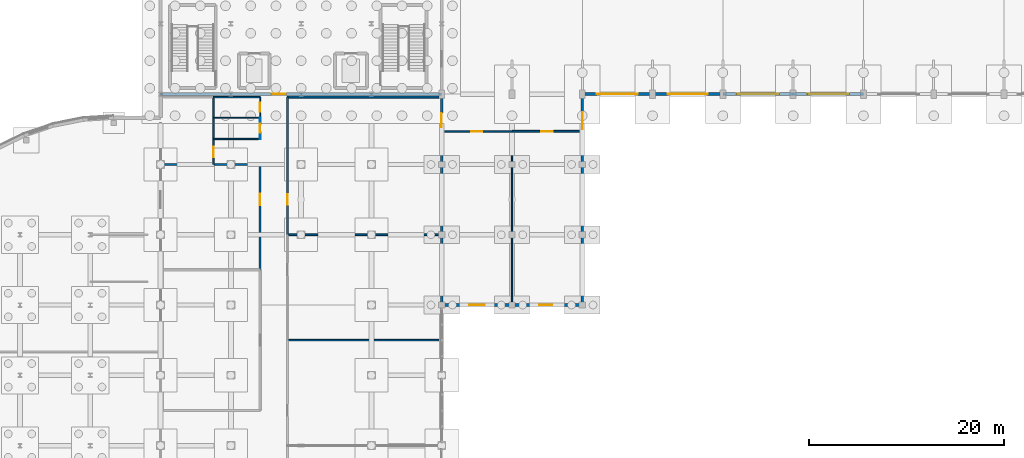
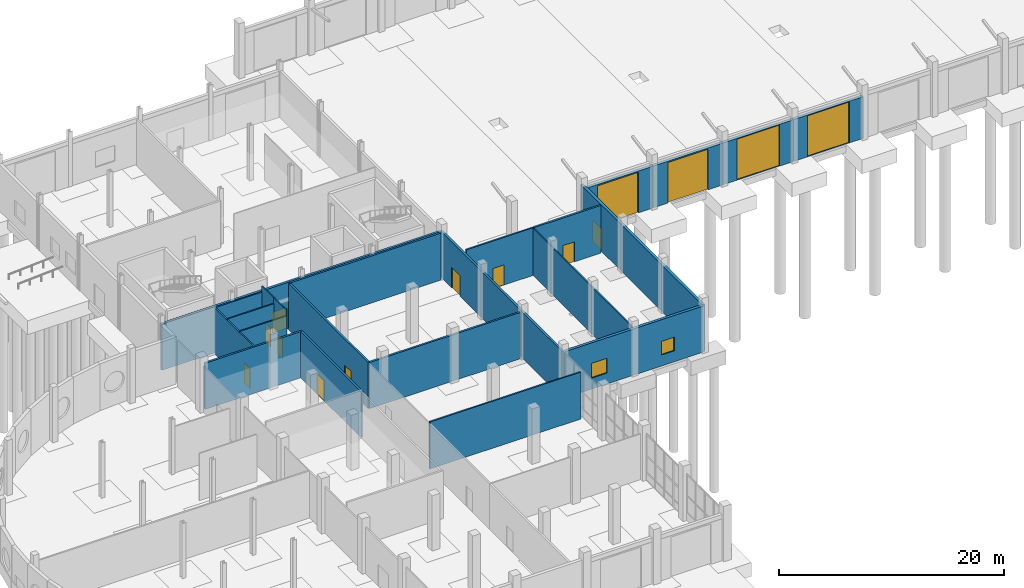
# One storey, part 31 of 45: 23 walls, 14 doors, 2 windows, 16 openings.
"""IFC4 building model written with IfcOpenShell, lengths in metres."""

import ifcopenshell
import ifcopenshell.guid

model = None  # the IFC model being written
_history = None  # IfcOwnerHistory: only IFC2X3 demands one
_inside = {}  # id of a spatial element -> (the spatial element, [elements in it])
_under = {}  # id of a project, library or spatial element -> (it, [spatial elements below it])
_declared = {}  # id of a project -> (the project, [libraries it declares])
_typed = {}  # id of a type object -> (the type object, [elements of that type])
_made_of = {}  # id of a material, layer set ... -> (it, [elements and type objects made of it])


def new_model(schema):
    """Start an empty IFC model of exactly this schema.

    Asked for "IFC4X3", IfcOpenShell would pick the latest addendum, in which some entities
    have other attributes; the version numbers below select the first issue.
    IFC2X3 requires an IfcOwnerHistory on every rooted entity: one is made here for all.
    """
    global model, _history
    if schema == "IFC4X3":
        model = ifcopenshell.file(schema_version=(4, 3, 0, 0))
    else:
        model = ifcopenshell.file(schema=schema)
    _inside.clear()
    _under.clear()
    _declared.clear()
    _typed.clear()
    _made_of.clear()
    _history = None
    if model.schema == "IFC2X3":
        org = make("IfcOrganization", Name="unknown")
        user = make(
            "IfcPersonAndOrganization",
            ThePerson=make("IfcPerson", FamilyName="unknown"),
            TheOrganization=org,
        )
        app = make(
            "IfcApplication",
            ApplicationDeveloper=org,
            Version="unknown",
            ApplicationFullName="unknown",
            ApplicationIdentifier="unknown",
        )
        _history = make(
            "IfcOwnerHistory",
            OwningUser=user,
            OwningApplication=app,
            ChangeAction="ADDED",
            CreationDate=0,
        )
    return model


def make(cls, **values):
    """One entity of the class cls with the attributes given. An attribute that is None is left unset."""
    return model.create_entity(
        cls, **{name: value for name, value in values.items() if value is not None}
    )


def rooted(cls, **values):
    """An entity with a GlobalId (a new one), such as an element, a storey or a relation."""
    return make(cls, GlobalId=ifcopenshell.guid.new(), OwnerHistory=_history, **values)


def si_unit(unit_type, name, prefix=None):
    """IfcSIUnit, for example si_unit("LENGTHUNIT", "METRE", prefix="MILLI")."""
    return make("IfcSIUnit", UnitType=unit_type, Prefix=prefix, Name=name)


def assignment(units):
    """IfcUnitAssignment: the units of a project."""
    return None if units is None else make("IfcUnitAssignment", Units=units)


def point(xyz):
    """IfcCartesianPoint."""
    return None if xyz is None else make("IfcCartesianPoint", Coordinates=xyz)


def direction(xyz):
    """IfcDirection."""
    return None if xyz is None else make("IfcDirection", DirectionRatios=xyz)


def frame(location, z_axis=None, x_axis=None):
    """IfcAxis2Placement3D, a coordinate frame: its origin and axes. An axis left out is left unset."""
    return make(
        "IfcAxis2Placement3D",
        Location=point(location),
        Axis=direction(z_axis),
        RefDirection=direction(x_axis),
    )


def frame_2d(location, x_axis=None):
    """IfcAxis2Placement2D, a coordinate frame in the plane: its origin and x axis."""
    return make(
        "IfcAxis2Placement2D", Location=point(location), RefDirection=direction(x_axis)
    )


def origin():
    """The frame at (0, 0, 0) with its axes left unset."""
    return frame((0.0, 0.0, 0.0))


def place(relative_to, where):
    """IfcLocalPlacement: puts the frame where relative to a parent placement (None: the world)."""
    return make(
        "IfcLocalPlacement", PlacementRelTo=relative_to, RelativePlacement=where
    )


def context(
    kind, dimensions, precision=None, world=None, true_north=None, identifier=None
):
    """IfcGeometricRepresentationContext, for example the 3D "Model" context."""
    return make(
        "IfcGeometricRepresentationContext",
        ContextIdentifier=identifier,
        ContextType=kind,
        CoordinateSpaceDimension=dimensions,
        Precision=precision,
        WorldCoordinateSystem=world,
        TrueNorth=true_north,
    )


def subcontext(parent, identifier, kind, view, scale=None):
    """IfcGeometricRepresentationSubContext, for example "Body" below "Model"."""
    return make(
        "IfcGeometricRepresentationSubContext",
        ContextIdentifier=identifier,
        ContextType=kind,
        ParentContext=parent,
        TargetScale=scale,
        TargetView=view,
    )


def project(units=None, contexts=None):
    """IfcProject with its units and contexts."""
    return rooted(
        "IfcProject",
        Name="project",
        RepresentationContexts=contexts,
        UnitsInContext=assignment(units),
    )


def spatial(cls, under=None, at=None, **own):
    """A site, building, storey or space (cls), placed at a placement, below another one or the project."""
    s = rooted(cls, ObjectPlacement=at, **own)
    if under is not None:
        _under.setdefault(under.id(), (under, []))[1].append(s)
    return s


def profile(cls, at=None, kind="AREA", **sizes):
    """A parametric profile (cls). Its sizes go by their IFC names, for example OverallWidth=200.0."""
    return make(cls, ProfileType=kind, Position=at, **sizes)


def rectangle(**sizes):
    """IfcRectangleProfileDef."""
    return profile("IfcRectangleProfileDef", **sizes)


def extrude(swept, where, along, depth):
    """IfcExtrudedAreaSolid: the profile swept, set in the frame where, extruded along a direction by depth."""
    return make(
        "IfcExtrudedAreaSolid",
        SweptArea=swept,
        Position=where,
        ExtrudedDirection=direction(along),
        Depth=depth,
    )


def shape(context_of_items, identifier, shape_type, items):
    """IfcShapeRepresentation: the items that make up one representation, for example the "Body"."""
    return make(
        "IfcShapeRepresentation",
        ContextOfItems=context_of_items,
        RepresentationIdentifier=identifier,
        RepresentationType=shape_type,
        Items=items,
    )


def material(Name=None, Category=None):
    """IfcMaterial."""
    return make("IfcMaterial", Name=Name, Category=Category)


def layer(
    of_material, thickness, ventilated=None, Name=None, Category=None, Priority=None
):
    """IfcMaterialLayer: one layer of a wall or slab, of a material (None: an air gap)."""
    return make(
        "IfcMaterialLayer",
        Material=of_material,
        LayerThickness=thickness,
        IsVentilated=ventilated,
        Name=Name,
        Category=Category,
        Priority=Priority,
    )


def layer_set(layers, Name=None):
    """IfcMaterialLayerSet."""
    return make("IfcMaterialLayerSet", MaterialLayers=layers, LayerSetName=Name)


def made_of(thing, what):
    """Note that an element or type object is made of a material, layer set ...; save() writes the relation."""
    if what is not None:
        _made_of.setdefault(what.id(), (what, []))[1].append(thing)
    return thing


def type_object(cls, material=None, **own):
    """A type object (cls), such as IfcWallType, which elements share."""
    return made_of(rooted(cls, **own), material)


def element(
    cls,
    number,
    at=None,
    inside=None,
    cuts=None,
    type_object=None,
    material=None,
    context=None,
    identifier="Body",
    shape_type=None,
    held_by="IfcProductDefinitionShape",
    body=None,
    shapes=None,
    **own,
):
    """One element of the class cls, such as IfcWall. Its Tag is "e" and its number.

    at: its placement. inside: the storey or other place that contains it. cuts: it is an
    opening in that element (IfcRelVoidsElement). A single representation is given by context,
    identifier, shape_type and body (its items); several are given by shapes. held_by: the class
    of the entity that holds the representations. save() writes the other relations.
    """
    e = rooted(cls, Tag="e%d" % number, ObjectPlacement=at, **own)
    if body is not None:
        shapes = [shape(context, identifier, shape_type, body)]
    if shapes is not None:
        e.Representation = make(held_by, Representations=shapes)
    if inside is not None:
        _inside.setdefault(inside.id(), (inside, []))[1].append(e)
    if cuts is not None:
        rooted(
            "IfcRelVoidsElement", RelatingBuildingElement=cuts, RelatedOpeningElement=e
        )
    if type_object is not None:
        _typed.setdefault(type_object.id(), (type_object, []))[1].append(e)
    return made_of(e, material)


def fill(opening, filler):
    """IfcRelFillsElement: the door or window that sits in an opening."""
    return rooted(
        "IfcRelFillsElement",
        RelatingOpeningElement=opening,
        RelatedBuildingElement=filler,
    )


def aggregate(whole, parts):
    """IfcRelAggregates: a whole, such as a stair, and the parts it consists of."""
    return rooted("IfcRelAggregates", RelatingObject=whole, RelatedObjects=parts)


def save(model, path):
    """Write the relations noted so far, then the file.

    IfcRelAggregates (storeys below a building ...), IfcRelContainedInSpatialStructure (elements
    in a storey), IfcRelDefinesByType, IfcRelAssociatesMaterial and IfcRelDeclares: one each for
    every whole, place, type object, material and project.
    """
    for whole, parts in _under.values():
        aggregate(whole, parts)
    for where, things in _inside.values():
        rooted(
            "IfcRelContainedInSpatialStructure",
            RelatedElements=things,
            RelatingStructure=where,
        )
    for kind, things in _typed.values():
        rooted("IfcRelDefinesByType", RelatedObjects=things, RelatingType=kind)
    for what, things in _made_of.values():
        rooted("IfcRelAssociatesMaterial", RelatedObjects=things, RelatingMaterial=what)
    for by, libraries in _declared.values():
        rooted("IfcRelDeclares", RelatingContext=by, RelatedDefinitions=libraries)
    model.write(path)


model = new_model("IFC4")

# Units and contexts
model_context = context("Model", 3, precision=1e-05, world=origin(), true_north=direction((0.0, 1.0)))
body_context = subcontext(model_context, "Body", "Model", "MODEL_VIEW")
ifc_project = project(units=[si_unit("LENGTHUNIT", "METRE"), si_unit("AREAUNIT", "SQUARE_METRE"), si_unit("VOLUMEUNIT", "CUBIC_METRE"), si_unit("PLANEANGLEUNIT", "RADIAN"), si_unit("MASSUNIT", "GRAM", prefix="KILO")], contexts=[model_context])

# Site, building, storey
site_placement = place(None, origin())
site = spatial("IfcSite", under=ifc_project, at=site_placement, CompositionType="ELEMENT")
building_placement = place(site_placement, origin())
building = spatial("IfcBuilding", under=site, at=building_placement, Name="Yarey Park Central Fire Station", CompositionType="ELEMENT")
storey_placement = place(building_placement, origin())
storey = spatial("IfcBuildingStorey", under=building, at=storey_placement, Name="L01", CompositionType="ELEMENT", Elevation=0.0)

# Wall, openings, windows
ifc_material_1 = material(Name="Concrete C35/45", Category="concrete")
ifc_layer_1 = layer(ifc_material_1, 0.280029296875)
ifc_layer_set_1 = layer_set([ifc_layer_1], Name="Concrete C35/45")
wall_type_1 = type_object("IfcWallType", Name="ENV_WALL_CMU280", PredefinedType="STANDARD", material=ifc_layer_set_1)
wall_1_placement = place(storey_placement, frame((57.60009765625, 36.0, 0.0), z_axis=(0.0, 0.0, 1.0), x_axis=(1.0, 0.0, 0.0)))
wall_1 = element("IfcWall", 1, at=wall_1_placement, inside=storey, type_object=wall_type_1, Name="EW_L01_V3_SES", PredefinedType="STANDARD", context=body_context, shape_type="SweptSolid", body=[
    extrude(rectangle(XDim=14.39990234375, YDim=0.280029296875, at=frame_2d((7.199951171875, 0.0))), origin(), (0.0, 0.0, 1.0), 5.02197265625),
])
opening_1_placement = place(wall_1_placement, frame((2.800048828125, 0.0, 1.199951171875)))
opening_1 = element("IfcOpeningElement", 2, at=opening_1_placement, cuts=wall_1, Name="Opening WN-P162", PredefinedType="OPENING", context=body_context, shape_type="SweptSolid", body=[
    extrude(rectangle(XDim=1.6201171875, YDim=1.60009765625, at=frame_2d((0.81005859375, 0.800048828125))), frame((0.0, 0.14990234375, 0.0), z_axis=(0.0, -1.0, 0.0), x_axis=(1.0, 0.0, 0.0)), (0.0, 0.0, 1.0), 0.300048828125),
])
opening_2_placement = place(wall_1_placement, frame((10.0, 0.0, 1.199951171875)))
opening_2 = element("IfcOpeningElement", 3, at=opening_2_placement, cuts=wall_1, Name="Opening WN-P132", PredefinedType="OPENING", context=body_context, shape_type="SweptSolid", body=[
    extrude(rectangle(XDim=1.320068359375, YDim=1.47998046875, at=frame_2d((0.66015625, 0.739990234375))), frame((0.0, 0.14990234375, 0.0), z_axis=(0.0, -1.0, 0.0), x_axis=(1.0, 0.0, 0.0)), (0.0, 0.0, 1.0), 0.300048828125),
])
ifc_material_2 = material(Name="Laminated Hurricane Low-E Glass", Category="glass")
window_type_1 = type_object("IfcWindowType", Name="ENV_WIN_PUNCH_132", PartitioningType="SINGLE_PANEL", PredefinedType="WINDOW", material=ifc_material_2)
window_1_placement = place(opening_2_placement, origin())
window_1 = element("IfcWindow", 4, at=window_1_placement, inside=storey, type_object=window_type_1, Name="WIN_L01_V3SES_2", OverallHeight=1.47998046875, OverallWidth=1.320068359375, PartitioningType="SINGLE_PANEL", PredefinedType="WINDOW", context=body_context, shape_type="SweptSolid", body=[
    extrude(rectangle(XDim=1.320068359375, YDim=1.47998046875, at=frame_2d((0.66015625, 0.739990234375))), frame((0.0, 0.030029296875, 0.0), z_axis=(0.0, -1.0, 0.0), x_axis=(1.0, 0.0, 0.0)), (0.0, 0.0, 1.0), 0.06005859375),
])
fill(opening_2, window_1)
window_type_2 = type_object("IfcWindowType", Name="ENV_WIN_PUNCH_162", PartitioningType="SINGLE_PANEL", PredefinedType="WINDOW", material=ifc_material_2)
window_2_placement = place(opening_1_placement, origin())
window_2 = element("IfcWindow", 5, at=window_2_placement, inside=storey, type_object=window_type_2, Name="WIN_L01_V3SES_1", OverallHeight=1.60009765625, OverallWidth=1.6201171875, PartitioningType="SINGLE_PANEL", PredefinedType="WINDOW", context=body_context, shape_type="SweptSolid", body=[
    extrude(rectangle(XDim=1.6201171875, YDim=1.60009765625, at=frame_2d((0.81005859375, 0.800048828125))), frame((0.0, 0.030029296875, 0.0), z_axis=(0.0, -1.0, 0.0), x_axis=(1.0, 0.0, 0.0)), (0.0, 0.0, 1.0), 0.06005859375),
])
fill(opening_1, window_2)

# Wall, opening, door
wall_2_placement = place(storey_placement, frame((72.0, 57.60009765625, 0.0), z_axis=(0.0, 0.0, 1.0), x_axis=(0.0, -1.0, 0.0)))
wall_2 = element("IfcWall", 6, at=wall_2_placement, inside=storey, type_object=wall_type_1, Name="EW_L01_V3_SEE", PredefinedType="STANDARD", context=body_context, shape_type="SweptSolid", body=[
    extrude(rectangle(XDim=21.60009765625, YDim=0.280029296875, at=frame_2d((10.800048828125, 0.0))), origin(), (0.0, 0.0, 1.0), 5.050048828125),
])
opening_3_placement = place(wall_2_placement, frame((1.919921875, 0.0, 0.0)))
opening_3 = element("IfcOpeningElement", 7, at=opening_3_placement, cuts=wall_2, Name="Opening ED-168", PredefinedType="OPENING", context=body_context, shape_type="SweptSolid", body=[
    extrude(rectangle(XDim=1.679931640625, YDim=2.300048828125, at=frame_2d((0.83984375, 1.14990234375))), frame((0.0, 0.14990234375, 0.0), z_axis=(0.0, -1.0, 0.0), x_axis=(1.0, 0.0, 0.0)), (0.0, 0.0, 1.0), 0.300048828125),
])
ifc_material_3 = material(Name="Anodized Aluminium Frame", Category="aluminium")
door_type_1 = type_object("IfcDoorType", Name="ENV_DOOR_EX1680", OperationType="NOTDEFINED", PredefinedType="DOOR", material=ifc_material_3)
door_1_placement = place(opening_3_placement, origin())
door_1 = element("IfcDoor", 8, at=door_1_placement, inside=storey, type_object=door_type_1, Name="DOOR_L01_EX_SE", OperationType="SINGLE_SWING_RIGHT", OverallHeight=2.300048828125, OverallWidth=1.679931640625, PredefinedType="DOOR", context=body_context, shape_type="SweptSolid", body=[
    extrude(rectangle(XDim=1.679931640625, YDim=2.300048828125, at=frame_2d((0.83984375, 1.14990234375))), frame((0.0, 0.02490234375, 0.0), z_axis=(0.0, -1.0, 0.0), x_axis=(1.0, 0.0, 0.0)), (0.0, 0.0, 1.0), 0.050048828125),
])
fill(opening_3, door_1)

ifc_layer_2 = layer(ifc_material_1, 0.304931640625)
ifc_layer_set_2 = layer_set([ifc_layer_2], Name="Concrete C35/45")
wall_type_2 = type_object("IfcWallType", Name="ENV_WALL_CMU305", PredefinedType="STANDARD", material=ifc_layer_set_2)
wall_3_placement = place(storey_placement, frame((79.199951171875, 57.60009765625, 0.0), z_axis=(0.0, 0.0, 1.0), x_axis=(-1.0, 0.0, 0.0)))
wall_3 = element("IfcWall", 9, at=wall_3_placement, inside=storey, type_object=wall_type_2, Name="EW_L01_V2_S_03", PredefinedType="STANDARD", context=body_context, shape_type="SweptSolid", body=[
    extrude(rectangle(XDim=7.199951171875, YDim=0.304931640625, at=frame_2d((3.60009765625, 0.0))), origin(), (0.0, 0.0, 1.0), 4.5400390625),
])
opening_4_placement = place(wall_3_placement, frame((1.5, 0.0, 0.0)))
opening_4 = element("IfcOpeningElement", 10, at=opening_4_placement, cuts=wall_3, Name="Opening VD-42", PredefinedType="OPENING", context=body_context, shape_type="SweptSolid", body=[
    extrude(rectangle(XDim=4.199951171875, YDim=4.39990234375, at=frame_2d((2.10009765625, 2.199951171875))), frame((0.0, 0.162353515625, 0.0), z_axis=(0.0, -1.0, 0.0), x_axis=(1.0, 0.0, 0.0)), (0.0, 0.0, 1.0), 0.324951171875),
])
door_type_2 = type_object("IfcDoorType", Name="ENV_GATE_VD4200", OperationType="NOTDEFINED", PredefinedType="GATE", material=ifc_material_3)
door_2_placement = place(opening_4_placement, origin())
door_2 = element("IfcDoor", 11, at=door_2_placement, inside=storey, type_object=door_type_2, Name="GATE_VD_09", OperationType="FOLDING_TO_LEFT", OverallHeight=4.39990234375, OverallWidth=4.199951171875, PredefinedType="GATE", context=body_context, shape_type="SweptSolid", body=[
    extrude(rectangle(XDim=4.199951171875, YDim=4.39990234375, at=frame_2d((2.10009765625, 2.199951171875))), frame((0.0, 0.02490234375, 0.0), z_axis=(0.0, -1.0, 0.0), x_axis=(1.0, 0.0, 0.0)), (0.0, 0.0, 1.0), 0.050048828125),
])
fill(opening_4, door_2)

wall_4_placement = place(storey_placement, frame((86.39990234375, 57.60009765625, 0.0), z_axis=(0.0, 0.0, 1.0), x_axis=(-1.0, 0.0, 0.0)))
wall_4 = element("IfcWall", 12, at=wall_4_placement, inside=storey, type_object=wall_type_2, Name="EW_L01_V2_S_04", PredefinedType="STANDARD", context=body_context, shape_type="SweptSolid", body=[
    extrude(rectangle(XDim=7.199951171875, YDim=0.304931640625, at=frame_2d((3.60009765625, 0.0))), origin(), (0.0, 0.0, 1.0), 4.5400390625),
])
opening_5_placement = place(wall_4_placement, frame((1.550048828125, 0.0, 0.0)))
opening_5 = element("IfcOpeningElement", 13, at=opening_5_placement, cuts=wall_4, Name="Opening VD-41", PredefinedType="OPENING", context=body_context, shape_type="SweptSolid", body=[
    extrude(rectangle(XDim=4.10009765625, YDim=4.39990234375, at=frame_2d((2.050048828125, 2.199951171875))), frame((0.0, 0.162353515625, 0.0), z_axis=(0.0, -1.0, 0.0), x_axis=(1.0, 0.0, 0.0)), (0.0, 0.0, 1.0), 0.324951171875),
])
door_type_3 = type_object("IfcDoorType", Name="ENV_GATE_VD4100", OperationType="NOTDEFINED", PredefinedType="GATE", material=ifc_material_3)
door_3_placement = place(opening_5_placement, origin())
door_3 = element("IfcDoor", 14, at=door_3_placement, inside=storey, type_object=door_type_3, Name="GATE_VD_10", OperationType="FOLDING_TO_LEFT", OverallHeight=4.39990234375, OverallWidth=4.10009765625, PredefinedType="GATE", context=body_context, shape_type="SweptSolid", body=[
    extrude(rectangle(XDim=4.10009765625, YDim=4.39990234375, at=frame_2d((2.050048828125, 2.199951171875))), frame((0.0, 0.02490234375, 0.0), z_axis=(0.0, -1.0, 0.0), x_axis=(1.0, 0.0, 0.0)), (0.0, 0.0, 1.0), 0.050048828125),
])
fill(opening_5, door_3)

wall_5_placement = place(storey_placement, frame((93.60009765625, 57.60009765625, 0.0), z_axis=(0.0, 0.0, 1.0), x_axis=(-1.0, 0.0, 0.0)))
wall_5 = element("IfcWall", 15, at=wall_5_placement, inside=storey, type_object=wall_type_2, Name="EW_L01_V2_S_05", PredefinedType="STANDARD", context=body_context, shape_type="SweptSolid", body=[
    extrude(rectangle(XDim=7.2001953125, YDim=0.304931640625, at=frame_2d((3.60009765625, 0.0))), origin(), (0.0, 0.0, 1.0), 4.5400390625),
])
opening_6_placement = place(wall_5_placement, frame((1.39990234375, 0.0, 0.0)))
opening_6 = element("IfcOpeningElement", 16, at=opening_6_placement, cuts=wall_5, Name="Opening VD-44", PredefinedType="OPENING", context=body_context, shape_type="SweptSolid", body=[
    extrude(rectangle(XDim=4.39990234375, YDim=4.449951171875, at=frame_2d((2.199951171875, 2.22509765625))), frame((0.0, 0.162353515625, 0.0), z_axis=(0.0, -1.0, 0.0), x_axis=(1.0, 0.0, 0.0)), (0.0, 0.0, 1.0), 0.324951171875),
])
door_type_4 = type_object("IfcDoorType", Name="ENV_GATE_VD4400", OperationType="NOTDEFINED", PredefinedType="GATE", material=ifc_material_3)
door_4_placement = place(opening_6_placement, origin())
door_4 = element("IfcDoor", 17, at=door_4_placement, inside=storey, type_object=door_type_4, Name="GATE_VD_11", OperationType="FOLDING_TO_LEFT", OverallHeight=4.449951171875, OverallWidth=4.39990234375, PredefinedType="GATE", context=body_context, shape_type="SweptSolid", body=[
    extrude(rectangle(XDim=4.39990234375, YDim=4.449951171875, at=frame_2d((2.199951171875, 2.22509765625))), frame((0.0, 0.02490234375, 0.0), z_axis=(0.0, -1.0, 0.0), x_axis=(1.0, 0.0, 0.0)), (0.0, 0.0, 1.0), 0.050048828125),
])
fill(opening_6, door_4)

wall_6_placement = place(storey_placement, frame((100.800048828125, 57.60009765625, 0.0), z_axis=(0.0, 0.0, 1.0), x_axis=(-1.0, 0.0, 0.0)))
wall_6 = element("IfcWall", 18, at=wall_6_placement, inside=storey, type_object=wall_type_2, Name="EW_L01_V2_S_06", PredefinedType="STANDARD", context=body_context, shape_type="SweptSolid", body=[
    extrude(rectangle(XDim=7.199951171875, YDim=0.304931640625, at=frame_2d((3.60009765625, 0.0))), origin(), (0.0, 0.0, 1.0), 4.5400390625),
])
opening_7_placement = place(wall_6_placement, frame((1.449951171875, 0.0, 0.0)))
opening_7 = element("IfcOpeningElement", 19, at=opening_7_placement, cuts=wall_6, Name="Opening VD-43", PredefinedType="OPENING", context=body_context, shape_type="SweptSolid", body=[
    extrude(rectangle(XDim=4.300048828125, YDim=4.449951171875, at=frame_2d((2.14990234375, 2.22509765625))), frame((0.0, 0.162353515625, 0.0), z_axis=(0.0, -1.0, 0.0), x_axis=(1.0, 0.0, 0.0)), (0.0, 0.0, 1.0), 0.324951171875),
])
door_type_5 = type_object("IfcDoorType", Name="ENV_GATE_VD4300", OperationType="NOTDEFINED", PredefinedType="GATE", material=ifc_material_3)
door_5_placement = place(opening_7_placement, origin())
door_5 = element("IfcDoor", 20, at=door_5_placement, inside=storey, type_object=door_type_5, Name="GATE_VD_12", OperationType="FOLDING_TO_LEFT", OverallHeight=4.449951171875, OverallWidth=4.300048828125, PredefinedType="GATE", context=body_context, shape_type="SweptSolid", body=[
    extrude(rectangle(XDim=4.300048828125, YDim=4.449951171875, at=frame_2d((2.14990234375, 2.22509765625))), frame((0.0, 0.02490234375, 0.0), z_axis=(0.0, -1.0, 0.0), x_axis=(1.0, 0.0, 0.0)), (0.0, 0.0, 1.0), 0.050048828125),
])
fill(opening_7, door_5)

ifc_material_4 = material(Name="Gypsum Shaftliner Assembly", Category="gypsum")
ifc_layer_3 = layer(ifc_material_4, 0.14990234375)
ifc_layer_set_3 = layer_set([ifc_layer_3], Name="Gypsum Shaftliner Assembly")
wall_type_3 = type_object("IfcWallType", Name="INT_WALL_AC150", PredefinedType="STANDARD", material=ifc_layer_set_3)
wall_7_placement = place(storey_placement, frame((34.199951171875, 50.39990234375, 0.0), z_axis=(0.0, 0.0, 1.0), x_axis=(0.0, 1.0, 0.0)))
wall_7 = element("IfcWall", 21, at=wall_7_placement, inside=storey, type_object=wall_type_3, Name="PART_SPC_L01_FIRSTAID_EAST", PredefinedType="STANDARD", context=body_context, shape_type="SweptSolid", body=[
    extrude(rectangle(XDim=6.900146484375, YDim=0.14990234375, at=frame_2d((3.4501953125, 0.0))), origin(), (0.0, 0.0, 1.0), 5.02197265625),
])
opening_8_placement = place(wall_7_placement, frame((0.760009765625, 0.0, 0.0)))
opening_8 = element("IfcOpeningElement", 22, at=opening_8_placement, cuts=wall_7, Name="Opening ID-108", PredefinedType="OPENING", context=body_context, shape_type="SweptSolid", body=[
    extrude(rectangle(XDim=1.080078125, YDim=2.179931640625, at=frame_2d((0.5400390625, 1.08984375))), frame((0.0, 0.0849609375, 0.0), z_axis=(0.0, -1.0, 0.0), x_axis=(1.0, 0.0, 0.0)), (0.0, 0.0, 1.0), 0.169921875),
])
ifc_material_5 = material(Name="Hardwood Acoustic Leaf", Category="wood")
door_type_6 = type_object("IfcDoorType", Name="DR_INT_1080", OperationType="NOTDEFINED", PredefinedType="DOOR", material=ifc_material_5)
door_6_placement = place(opening_8_placement, origin())
door_6 = element("IfcDoor", 23, at=door_6_placement, inside=storey, type_object=door_type_6, Name="DOOR_SPC_L01_FIRSTAID", OperationType="SINGLE_SWING_RIGHT", OverallHeight=2.179931640625, OverallWidth=1.080078125, PredefinedType="DOOR", context=body_context, shape_type="SweptSolid", body=[
    extrude(rectangle(XDim=1.080078125, YDim=2.179931640625, at=frame_2d((0.5400390625, 1.08984375))), frame((0.0, 0.02490234375, 0.0), z_axis=(0.0, -1.0, 0.0), x_axis=(1.0, 0.0, 0.0)), (0.0, 0.0, 1.0), 0.050048828125),
])
fill(opening_8, door_6)

# Walls
wall_8_placement = place(storey_placement, frame((39.0, 57.300048828125, 0.0), z_axis=(0.0, 0.0, 1.0), x_axis=(-1.0, 0.0, 0.0)))
element("IfcWall", 24, at=wall_8_placement, inside=storey, type_object=wall_type_3, Name="PART_SPC_L01_WC_MF_NORTH", PredefinedType="STANDARD", context=body_context, shape_type="SweptSolid", body=[
    extrude(rectangle(XDim=4.800048828125, YDim=0.14990234375, at=frame_2d((2.39990234375, 0.0))), origin(), (0.0, 0.0, 1.0), 5.10302734375),
])
wall_9_placement = place(storey_placement, frame((41.800048828125, 32.39990234375, 0.0), z_axis=(0.0, 0.0, 1.0), x_axis=(1.0, 0.0, 0.0)))
element("IfcWall", 25, at=wall_9_placement, inside=storey, type_object=wall_type_3, Name="PART_SPC_L01_GREEN_SOUTH", PredefinedType="STANDARD", context=body_context, shape_type="SweptSolid", body=[
    extrude(rectangle(XDim=15.5, YDim=0.14990234375, at=frame_2d((7.75, 0.0))), origin(), (0.0, 0.0, 1.0), 5.10302734375),
])

# Wall, opening, door
wall_10_placement = place(storey_placement, frame((64.800048828125, 53.800048828125, 0.0), z_axis=(0.0, 0.0, 1.0), x_axis=(-1.0, 0.0, 0.0)))
wall_10 = element("IfcWall", 26, at=wall_10_placement, inside=storey, type_object=wall_type_3, Name="PART_SPC_L01_LAUNDRY_NORTH", PredefinedType="STANDARD", context=body_context, shape_type="SweptSolid", body=[
    extrude(rectangle(XDim=6.900146484375, YDim=0.14990234375, at=frame_2d((3.4501953125, 0.0))), origin(), (0.0, 0.0, 1.0), 5.177978515625),
])
opening_9_placement = place(wall_10_placement, frame((3.030029296875, 0.0, 0.0)))
opening_9 = element("IfcOpeningElement", 27, at=opening_9_placement, cuts=wall_10, Name="Opening ID-114", PredefinedType="OPENING", context=body_context, shape_type="SweptSolid", body=[
    extrude(rectangle(XDim=1.139892578125, YDim=2.199951171875, at=frame_2d((0.56982421875, 1.10009765625))), frame((0.0, 0.0849609375, 0.0), z_axis=(0.0, -1.0, 0.0), x_axis=(1.0, 0.0, 0.0)), (0.0, 0.0, 1.0), 0.169921875),
])
door_type_7 = type_object("IfcDoorType", Name="DR_INT_1140", OperationType="NOTDEFINED", PredefinedType="DOOR", material=ifc_material_5)
door_7_placement = place(opening_9_placement, origin())
door_7 = element("IfcDoor", 28, at=door_7_placement, inside=storey, type_object=door_type_7, Name="DOOR_SPC_L01_LAUNDRY", OperationType="SINGLE_SWING_LEFT", OverallHeight=2.199951171875, OverallWidth=1.139892578125, PredefinedType="DOOR", context=body_context, shape_type="SweptSolid", body=[
    extrude(rectangle(XDim=1.139892578125, YDim=2.199951171875, at=frame_2d((0.56982421875, 1.10009765625))), frame((0.0, 0.02490234375, 0.0), z_axis=(0.0, -1.0, 0.0), x_axis=(1.0, 0.0, 0.0)), (0.0, 0.0, 1.0), 0.050048828125),
])
fill(opening_9, door_7)

# Wall
ifc_layer_4 = layer(ifc_material_1, 0.18994140625)
ifc_layer_set_4 = layer_set([ifc_layer_4], Name="Concrete C35/45")
wall_type_4 = type_object("IfcWallType", Name="INT_WALL_CMU190", PredefinedType="STANDARD", material=ifc_layer_set_4)
wall_11_placement = place(storey_placement, frame((39.0, 50.39990234375, 0.0), z_axis=(0.0, 0.0, 1.0), x_axis=(-1.0, 0.0, 0.0)))
element("IfcWall", 29, at=wall_11_placement, inside=storey, type_object=wall_type_4, Name="PART_SPC_L01_FCC_NORTH", PredefinedType="STANDARD", context=body_context, shape_type="SweptSolid", body=[
    extrude(rectangle(XDim=9.89990234375, YDim=0.18994140625, at=frame_2d((4.949951171875, 0.0))), origin(), (0.0, 0.0, 1.0), 5.02197265625),
])

# Wall, opening, door
wall_12_placement = place(storey_placement, frame((39.0, 39.60009765625, 0.0), z_axis=(0.0, 0.0, 1.0), x_axis=(0.0, 1.0, 0.0)))
wall_12 = element("IfcWall", 30, at=wall_12_placement, inside=storey, type_object=wall_type_4, Name="PART_SPC_L01_FCC_EAST", PredefinedType="STANDARD", context=body_context, shape_type="SweptSolid", body=[
    extrude(rectangle(XDim=10.7998046875, YDim=0.18994140625, at=frame_2d((5.39990234375, 0.0))), origin(), (0.0, 0.0, 1.0), 5.02197265625),
])
opening_10_placement = place(wall_12_placement, frame((6.60009765625, 0.0, 0.0)))
opening_10 = element("IfcOpeningElement", 31, at=opening_10_placement, cuts=wall_12, Name="Opening FD-120", PredefinedType="OPENING", context=body_context, shape_type="SweptSolid", body=[
    extrude(rectangle(XDim=1.199951171875, YDim=2.199951171875, at=frame_2d((0.60009765625, 1.10009765625))), frame((0.0, 0.10498046875, 0.0), z_axis=(0.0, -1.0, 0.0), x_axis=(1.0, 0.0, 0.0)), (0.0, 0.0, 1.0), 0.2099609375),
])
ifc_material_6 = material(Name="Galvanized Hollow Metal Door", Category="metal")
door_type_8 = type_object("IfcDoorType", Name="DR_FD_1200", OperationType="NOTDEFINED", PredefinedType="DOOR", material=ifc_material_6)
door_8_placement = place(opening_10_placement, origin())
door_8 = element("IfcDoor", 32, at=door_8_placement, inside=storey, type_object=door_type_8, Name="DOOR_SPC_L01_FCC", OperationType="SINGLE_SWING_LEFT", OverallHeight=2.199951171875, OverallWidth=1.199951171875, PredefinedType="DOOR", context=body_context, shape_type="SweptSolid", body=[
    extrude(rectangle(XDim=1.199951171875, YDim=2.199951171875, at=frame_2d((0.60009765625, 1.10009765625))), frame((0.0, 0.02490234375, 0.0), z_axis=(0.0, -1.0, 0.0), x_axis=(1.0, 0.0, 0.0)), (0.0, 0.0, 1.0), 0.050048828125),
])
fill(opening_10, door_8)

# Walls
wall_13_placement = place(storey_placement, frame((41.800048828125, 43.199951171875, 0.0), z_axis=(0.0, 0.0, 1.0), x_axis=(1.0, 0.0, 0.0)))
element("IfcWall", 33, at=wall_13_placement, inside=storey, type_object=wall_type_4, Name="PART_SPC_L01_PPE_SOUTH", PredefinedType="STANDARD", context=body_context, shape_type="SweptSolid", body=[
    extrude(rectangle(XDim=15.5, YDim=0.18994140625, at=frame_2d((7.75, 0.0))), origin(), (0.0, 0.0, 1.0), 5.02197265625),
])
wall_14_placement = place(storey_placement, frame((57.300048828125, 57.300048828125, 0.0), z_axis=(0.0, 0.0, 1.0), x_axis=(-1.0, 0.0, 0.0)))
element("IfcWall", 34, at=wall_14_placement, inside=storey, type_object=wall_type_4, Name="PART_SPC_L01_PPE_NORTH", PredefinedType="STANDARD", context=body_context, shape_type="SweptSolid", body=[
    extrude(rectangle(XDim=15.5, YDim=0.18994140625, at=frame_2d((7.75, 0.0))), origin(), (0.0, 0.0, 1.0), 5.10302734375),
])

# Wall, opening, door
wall_15_placement = place(storey_placement, frame((41.800048828125, 57.300048828125, 0.0), z_axis=(0.0, 0.0, 1.0), x_axis=(0.0, -1.0, 0.0)))
wall_15 = element("IfcWall", 35, at=wall_15_placement, inside=storey, type_object=wall_type_4, Name="PART_SPC_L01_PPE_WEST", PredefinedType="STANDARD", context=body_context, shape_type="SweptSolid", body=[
    extrude(rectangle(XDim=14.10009765625, YDim=0.18994140625, at=frame_2d((7.050048828125, 0.0))), origin(), (0.0, 0.0, 1.0), 5.02197265625),
])
opening_11_placement = place(wall_15_placement, frame((9.949951171875, 0.0, 0.0)))
opening_11 = element("IfcOpeningElement", 36, at=opening_11_placement, cuts=wall_15, Name="Opening ID-110", PredefinedType="OPENING", context=body_context, shape_type="SweptSolid", body=[
    extrude(rectangle(XDim=1.10009765625, YDim=2.199951171875, at=frame_2d((0.550048828125, 1.10009765625))), frame((0.0, 0.10498046875, 0.0), z_axis=(0.0, -1.0, 0.0), x_axis=(1.0, 0.0, 0.0)), (0.0, 0.0, 1.0), 0.2099609375),
])
door_type_9 = type_object("IfcDoorType", Name="DR_INT_1100", OperationType="NOTDEFINED", PredefinedType="DOOR", material=ifc_material_5)
door_9_placement = place(opening_11_placement, origin())
door_9 = element("IfcDoor", 37, at=door_9_placement, inside=storey, type_object=door_type_9, Name="DOOR_SPC_L01_PPE", OperationType="SINGLE_SWING_LEFT", OverallHeight=2.199951171875, OverallWidth=1.10009765625, PredefinedType="DOOR", context=body_context, shape_type="SweptSolid", body=[
    extrude(rectangle(XDim=1.10009765625, YDim=2.199951171875, at=frame_2d((0.550048828125, 1.10009765625))), frame((0.0, 0.02490234375, 0.0), z_axis=(0.0, -1.0, 0.0), x_axis=(1.0, 0.0, 0.0)), (0.0, 0.0, 1.0), 0.050048828125),
])
fill(opening_11, door_9)

wall_16_placement = place(storey_placement, frame((71.699951171875, 53.800048828125, 0.0), z_axis=(0.0, 0.0, 1.0), x_axis=(-1.0, 0.0, 0.0)))
wall_16 = element("IfcWall", 38, at=wall_16_placement, inside=storey, type_object=wall_type_4, Name="PART_SPC_L01_MEDSTORE_NORTH", PredefinedType="STANDARD", context=body_context, shape_type="SweptSolid", body=[
    extrude(rectangle(XDim=6.89990234375, YDim=0.18994140625, at=frame_2d((3.449951171875, 0.0))), origin(), (0.0, 0.0, 1.0), 5.177978515625),
])
opening_12_placement = place(wall_16_placement, frame((2.7099609375, 0.0, 0.0)))
opening_12 = element("IfcOpeningElement", 39, at=opening_12_placement, cuts=wall_16, Name="Opening FD-118", PredefinedType="OPENING", context=body_context, shape_type="SweptSolid", body=[
    extrude(rectangle(XDim=1.179931640625, YDim=2.179931640625, at=frame_2d((0.58984375, 1.08984375))), frame((0.0, 0.10498046875, 0.0), z_axis=(0.0, -1.0, 0.0), x_axis=(1.0, 0.0, 0.0)), (0.0, 0.0, 1.0), 0.2099609375),
])
door_type_10 = type_object("IfcDoorType", Name="DR_FD_1180", OperationType="NOTDEFINED", PredefinedType="DOOR", material=ifc_material_6)
door_10_placement = place(opening_12_placement, origin())
door_10 = element("IfcDoor", 40, at=door_10_placement, inside=storey, type_object=door_type_10, Name="DOOR_SPC_L01_MEDSTORE", OperationType="SINGLE_SWING_RIGHT", OverallHeight=2.179931640625, OverallWidth=1.179931640625, PredefinedType="DOOR", context=body_context, shape_type="SweptSolid", body=[
    extrude(rectangle(XDim=1.179931640625, YDim=2.179931640625, at=frame_2d((0.58984375, 1.08984375))), frame((0.0, 0.02490234375, 0.0), z_axis=(0.0, -1.0, 0.0), x_axis=(1.0, 0.0, 0.0)), (0.0, 0.0, 1.0), 0.050048828125),
])
fill(opening_12, door_10)

ifc_layer_5 = layer(ifc_material_1, 0.215087890625)
ifc_layer_set_5 = layer_set([ifc_layer_5], Name="Concrete C35/45")
wall_type_5 = type_object("IfcWallType", Name="INT_WALL_FB215", PredefinedType="STANDARD", material=ifc_layer_set_5)
wall_17_placement = place(storey_placement, frame((57.60009765625, 36.0, 0.0), z_axis=(0.0, 0.0, 1.0), x_axis=(0.0, 1.0, 0.0)))
wall_17 = element("IfcWall", 41, at=wall_17_placement, inside=storey, type_object=wall_type_5, Name="IW_L01_V1_SE", PredefinedType="STANDARD", context=body_context, shape_type="SweptSolid", body=[
    extrude(rectangle(XDim=21.60009765625, YDim=0.215087890625, at=frame_2d((10.800048828125, 0.0))), origin(), (0.0, 0.0, 1.0), 5.02197265625),
])
opening_13_placement = place(wall_17_placement, frame((18.199951171875, 0.0, 0.0)))
opening_13 = element("IfcOpeningElement", 42, at=opening_13_placement, cuts=wall_17, Name="Opening FD-146", PredefinedType="OPENING", context=body_context, shape_type="SweptSolid", body=[
    extrude(rectangle(XDim=1.4599609375, YDim=2.260009765625, at=frame_2d((0.72998046875, 1.1298828125))), frame((0.0, 0.117431640625, 0.0), z_axis=(0.0, -1.0, 0.0), x_axis=(1.0, 0.0, 0.0)), (0.0, 0.0, 1.0), 0.235107421875),
])
door_type_11 = type_object("IfcDoorType", Name="DR_FD_1460", OperationType="NOTDEFINED", PredefinedType="DOOR", material=ifc_material_6)
door_11_placement = place(opening_13_placement, origin())
door_11 = element("IfcDoor", 43, at=door_11_placement, inside=storey, type_object=door_type_11, Name="DOOR_IW_L01_V1_SE", OperationType="SINGLE_SWING_LEFT", OverallHeight=2.260009765625, OverallWidth=1.4599609375, PredefinedType="DOOR", context=body_context, shape_type="SweptSolid", body=[
    extrude(rectangle(XDim=1.4599609375, YDim=2.260009765625, at=frame_2d((0.72998046875, 1.1298828125))), frame((0.0, 0.02490234375, 0.0), z_axis=(0.0, -1.0, 0.0), x_axis=(1.0, 0.0, 0.0)), (0.0, 0.0, 1.0), 0.050048828125),
])
fill(opening_13, door_11)

ifc_layer_6 = layer(ifc_material_1, 0.2451171875)
ifc_layer_set_6 = layer_set([ifc_layer_6], Name="Concrete C35/45")
wall_type_6 = type_object("IfcWallType", Name="INT_WALL_FB245", PredefinedType="STANDARD", material=ifc_layer_set_6)
wall_18_placement = place(storey_placement, frame((28.800048828125, 57.60009765625, 0.0), z_axis=(0.0, 0.0, 1.0), x_axis=(1.0, 0.0, 0.0)))
wall_18 = element("IfcWall", 44, at=wall_18_placement, inside=storey, type_object=wall_type_6, Name="IW_L01_V1_V3", PredefinedType="STANDARD", context=body_context, shape_type="SweptSolid", body=[
    extrude(rectangle(XDim=28.800048828125, YDim=0.2451171875, at=frame_2d((14.39990234375, 0.0))), origin(), (0.0, 0.0, 1.0), 5.02197265625),
])
opening_14_placement = place(wall_18_placement, frame((11.3701171875, 0.0, 0.0)))
opening_14 = element("IfcOpeningElement", 45, at=opening_14_placement, cuts=wall_18, Name="Opening FD-146", PredefinedType="OPENING", context=body_context, shape_type="SweptSolid", body=[
    extrude(rectangle(XDim=1.4599609375, YDim=2.260009765625, at=frame_2d((0.72998046875, 1.1298828125))), frame((0.0, 0.132568359375, 0.0), z_axis=(0.0, -1.0, 0.0), x_axis=(1.0, 0.0, 0.0)), (0.0, 0.0, 1.0), 0.26513671875),
])
door_12_placement = place(opening_14_placement, origin())
door_12 = element("IfcDoor", 46, at=door_12_placement, inside=storey, type_object=door_type_11, Name="DOOR_IW_L01_V1_V3", OperationType="SINGLE_SWING_LEFT", OverallHeight=2.260009765625, OverallWidth=1.4599609375, PredefinedType="DOOR", context=body_context, shape_type="SweptSolid", body=[
    extrude(rectangle(XDim=1.4599609375, YDim=2.260009765625, at=frame_2d((0.72998046875, 1.1298828125))), frame((0.0, 0.02490234375, 0.0), z_axis=(0.0, -1.0, 0.0), x_axis=(1.0, 0.0, 0.0)), (0.0, 0.0, 1.0), 0.050048828125),
])
fill(opening_14, door_12)

ifc_material_7 = material(Name="Gypsum Acoustic Partition", Category="gypsum")
ifc_layer_7 = layer(ifc_material_7, 0.0859375)
ifc_layer_set_7 = layer_set([ifc_layer_7], Name="Gypsum Acoustic Partition")
wall_type_7 = type_object("IfcWallType", Name="INT_WALL_PT086", PredefinedType="STANDARD", material=ifc_layer_set_7)
wall_19_placement = place(storey_placement, frame((39.0, 53.0, 0.0), z_axis=(0.0, 0.0, 1.0), x_axis=(0.0, 1.0, 0.0)))
wall_19 = element("IfcWall", 47, at=wall_19_placement, inside=storey, type_object=wall_type_7, Name="PART_SPC_L01_WC_ACC_EAST", PredefinedType="STANDARD", context=body_context, shape_type="SweptSolid", body=[
    extrude(rectangle(XDim=2.199951171875, YDim=0.0859375, at=frame_2d((1.10009765625, 0.0))), origin(), (0.0, 0.0, 1.0), 5.715087890625),
])
opening_15_placement = place(wall_19_placement, frame((0.6298828125, 0.0, 0.0)))
opening_15 = element("IfcOpeningElement", 48, at=opening_15_placement, cuts=wall_19, Name="Opening WD-095", PredefinedType="OPENING", context=body_context, shape_type="SweptSolid", body=[
    extrude(rectangle(XDim=0.93994140625, YDim=2.1201171875, at=frame_2d((0.469970703125, 1.06005859375))), frame((0.0, 0.052978515625, 0.0), z_axis=(0.0, -1.0, 0.0), x_axis=(1.0, 0.0, 0.0)), (0.0, 0.0, 1.0), 0.10595703125),
])
ifc_material_8 = material(Name="Phenolic Moisture-Resistant Leaf", Category="wood")
door_type_12 = type_object("IfcDoorType", Name="DR_WC_950", OperationType="NOTDEFINED", PredefinedType="DOOR", material=ifc_material_8)
door_13_placement = place(opening_15_placement, origin())
door_13 = element("IfcDoor", 49, at=door_13_placement, inside=storey, type_object=door_type_12, Name="DOOR_SPC_L01_WC_ACC", OperationType="SINGLE_SWING_LEFT", OverallHeight=2.1201171875, OverallWidth=0.93994140625, PredefinedType="DOOR", context=body_context, shape_type="SweptSolid", body=[
    extrude(rectangle(XDim=0.93994140625, YDim=2.1201171875, at=frame_2d((0.469970703125, 1.06005859375))), frame((0.0, 0.02490234375, 0.0), z_axis=(0.0, -1.0, 0.0), x_axis=(1.0, 0.0, 0.0)), (0.0, 0.0, 1.0), 0.050048828125),
])
fill(opening_15, door_13)

# Wall
ifc_layer_8 = layer(ifc_material_7, 0.117919921875)
ifc_layer_set_8 = layer_set([ifc_layer_8], Name="Gypsum Acoustic Partition")
wall_type_8 = type_object("IfcWallType", Name="INT_WALL_PT118", PredefinedType="STANDARD", material=ifc_layer_set_8)
wall_20_placement = place(storey_placement, frame((39.0, 55.199951171875, 0.0), z_axis=(0.0, 0.0, 1.0), x_axis=(-1.0, 0.0, 0.0)))
element("IfcWall", 50, at=wall_20_placement, inside=storey, type_object=wall_type_8, Name="PART_SPC_L01_WC_ACC_NORTH", PredefinedType="STANDARD", context=body_context, shape_type="SweptSolid", body=[
    extrude(rectangle(XDim=4.800048828125, YDim=0.117919921875, at=frame_2d((2.39990234375, 0.0))), origin(), (0.0, 0.0, 1.0), 5.10302734375),
])

# Wall, opening, door
wall_21_placement = place(storey_placement, frame((39.0, 55.199951171875, 0.0), z_axis=(0.0, 0.0, 1.0), x_axis=(0.0, 1.0, 0.0)))
wall_21 = element("IfcWall", 51, at=wall_21_placement, inside=storey, type_object=wall_type_8, Name="PART_SPC_L01_WC_MF_EAST", PredefinedType="STANDARD", context=body_context, shape_type="SweptSolid", body=[
    extrude(rectangle(XDim=2.10009765625, YDim=0.117919921875, at=frame_2d((1.050048828125, 0.0))), origin(), (0.0, 0.0, 1.0), 5.715087890625),
])
opening_16_placement = place(wall_21_placement, frame((0.60009765625, 0.0, 0.0)))
opening_16 = element("IfcOpeningElement", 52, at=opening_16_placement, cuts=wall_21, Name="Opening WD-090", PredefinedType="OPENING", context=body_context, shape_type="SweptSolid", body=[
    extrude(rectangle(XDim=0.89990234375, YDim=2.10009765625, at=frame_2d((0.449951171875, 1.050048828125))), frame((0.0, 0.06884765625, 0.0), z_axis=(0.0, -1.0, 0.0), x_axis=(1.0, 0.0, 0.0)), (0.0, 0.0, 1.0), 0.137939453125),
])
door_type_13 = type_object("IfcDoorType", Name="DR_WC_900", OperationType="NOTDEFINED", PredefinedType="DOOR", material=ifc_material_8)
door_14_placement = place(opening_16_placement, origin())
door_14 = element("IfcDoor", 53, at=door_14_placement, inside=storey, type_object=door_type_13, Name="DOOR_SPC_L01_WC_MF", OperationType="SINGLE_SWING_RIGHT", OverallHeight=2.10009765625, OverallWidth=0.89990234375, PredefinedType="DOOR", context=body_context, shape_type="SweptSolid", body=[
    extrude(rectangle(XDim=0.89990234375, YDim=2.10009765625, at=frame_2d((0.449951171875, 1.050048828125))), frame((0.0, 0.02490234375, 0.0), z_axis=(0.0, -1.0, 0.0), x_axis=(1.0, 0.0, 0.0)), (0.0, 0.0, 1.0), 0.050048828125),
])
fill(opening_16, door_14)

# Walls
ifc_layer_9 = layer(ifc_material_7, 0.134033203125)
ifc_layer_set_9 = layer_set([ifc_layer_9], Name="Gypsum Acoustic Partition")
wall_type_9 = type_object("IfcWallType", Name="INT_WALL_PT134", PredefinedType="STANDARD", material=ifc_layer_set_9)
wall_22_placement = place(storey_placement, frame((34.199951171875, 53.0, 0.0), z_axis=(0.0, 0.0, 1.0), x_axis=(1.0, 0.0, 0.0)))
element("IfcWall", 54, at=wall_22_placement, inside=storey, type_object=wall_type_9, Name="PART_SPC_L01_WC_ACC_SOUTH", PredefinedType="STANDARD", context=body_context, shape_type="SweptSolid", body=[
    extrude(rectangle(XDim=4.800048828125, YDim=0.134033203125, at=frame_2d((2.39990234375, 0.0))), origin(), (0.0, 0.0, 1.0), 5.10302734375),
])
wall_23_placement = place(storey_placement, frame((64.800048828125, 36.300048828125, 0.0), z_axis=(0.0, 0.0, 1.0), x_axis=(0.0, 1.0, 0.0)))
element("IfcWall", 55, at=wall_23_placement, inside=storey, type_object=wall_type_9, Name="PART_SPC_L01_LAUNDRY_EAST", PredefinedType="STANDARD", context=body_context, shape_type="SweptSolid", body=[
    extrude(rectangle(XDim=17.5, YDim=0.134033203125, at=frame_2d((8.75, 0.0))), origin(), (0.0, 0.0, 1.0), 5.096923828125),
])

save(model, "model.ifc")
